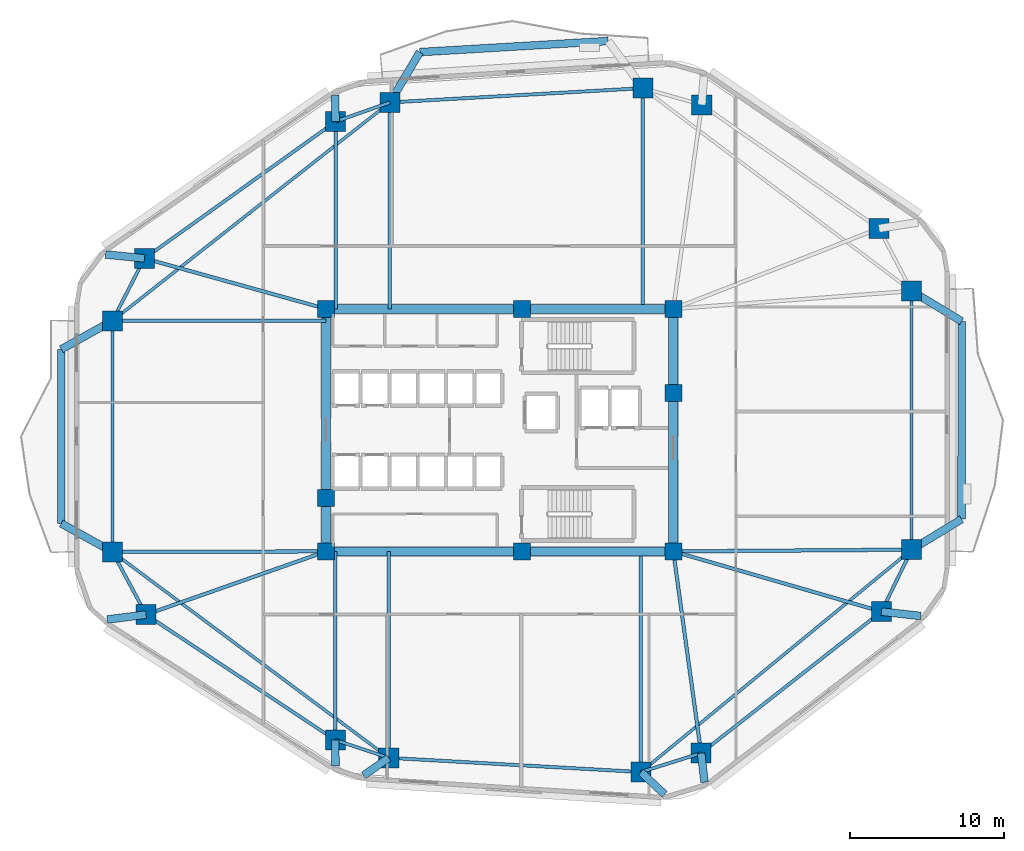
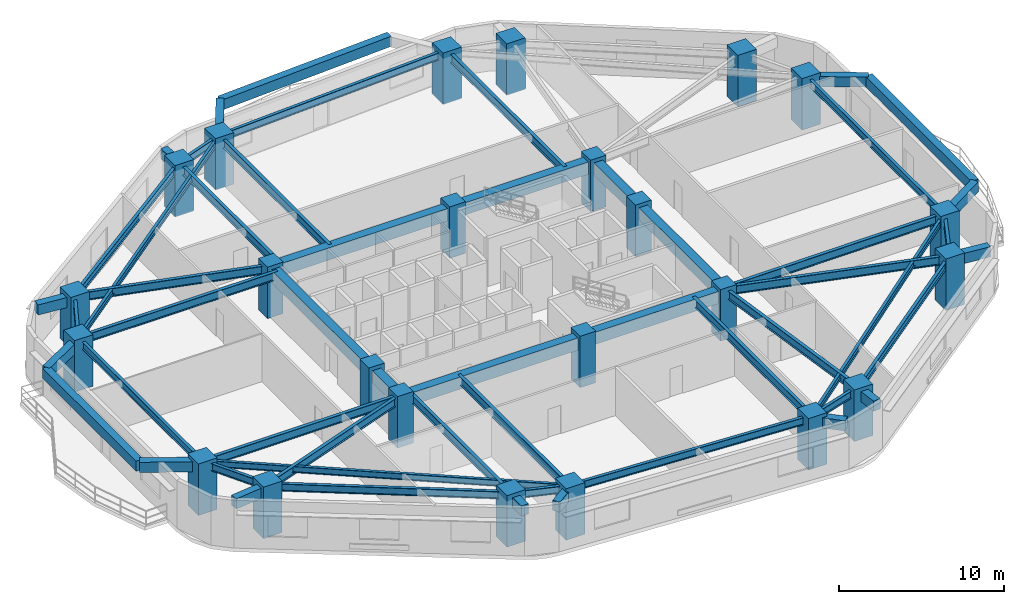
# One storey, part 1 of 9: 53 beams, 24 columns.
"""IFC4 building model written with IfcOpenShell, lengths in metres."""

from ifc_helpers import new_model, si_unit, direction, frame, origin, origin_2d, place, context, subcontext, project, spatial, rectangle, i_section, extrude, material, material_profile, profile_set, type_object, element, save


model = new_model("IFC4")

# Units and contexts
model_context = context("Model", 3, precision=1e-05, world=origin(), true_north=direction((0.0, 1.0)))
body_context = subcontext(model_context, "Body", "Model", "MODEL_VIEW")
ifc_project = project(units=[si_unit("LENGTHUNIT", "METRE"), si_unit("AREAUNIT", "SQUARE_METRE"), si_unit("VOLUMEUNIT", "CUBIC_METRE"), si_unit("PLANEANGLEUNIT", "RADIAN"), si_unit("MASSUNIT", "GRAM", prefix="KILO")], contexts=[model_context])

# Site, building, storey
site_placement = place(None, origin())
site = spatial("IfcSite", under=ifc_project, at=site_placement, CompositionType="ELEMENT")
building_placement = place(site_placement, origin())
building = spatial("IfcBuilding", under=site, at=building_placement, Name="Zulverin Broadcast Headquarters", CompositionType="ELEMENT")
storey_placement = place(building_placement, frame((0.0, 0.0, 59.199951171875)))
storey = spatial("IfcBuildingStorey", under=building, at=storey_placement, Name="L14", CompositionType="ELEMENT", Elevation=59.199951171875)

# Columns
ifc_material_1 = material(Name="Concrete C60/75", Category="concrete")
ifc_material_profile_1 = material_profile(ifc_material_1, rectangle(XDim=1.300048828125, YDim=1.300048828125, at=origin_2d()), Name="Concrete C60/75", Category="concrete")
ifc_profile_set_1 = profile_set([ifc_material_profile_1], Name="Concrete C60/75")
column_type_1 = type_object("IfcColumnType", Name="COL-RC-1300", PredefinedType="COLUMN", material=ifc_profile_set_1)
for number, where, z_axis, x_axis, name in (
    (1, (29.79638671875, 3.922119140625, 0.0), (0.0, 0.0, 1.0), (1.0, 0.0, 0.0), "L14 Perimeter Column T01"),
    (2, (46.175048828125, 2.997802734375, 0.0), (0.0, 0.0, 1.0), (1.0, 0.0, 0.0), "L14 Perimeter Column T02"),
    (3, (50.08056640625, 4.22509765625, 0.0), (0.0, 0.0, 1.0), (1.0, 0.0, 0.0), "L14 Perimeter Column T03"),
    (4, (61.79296875, 13.416259765625, 0.0), (0.0, 0.0, 1.0), (1.0, 0.0, 0.0), "L14 Perimeter Column T04"),
    (5, (63.75, 17.439697265625, 0.0), (0.0, 0.0, 1.0), (1.0, 0.0, 0.0), "L14 Perimeter Column T05"),
    (6, (63.75, 34.235107421875, 0.0), (0.0, 0.0, 1.0), (1.0, 0.0, 0.0), "L14 Perimeter Column T06"),
    (7, (61.630126953125, 38.298583984375, 0.0), (0.0, 0.0, 1.0), (1.0, 0.0, 0.0), "L14 Perimeter Column T07"),
    (8, (50.121826171875, 46.325927734375, 0.0), (0.0, 0.0, 1.0), (1.0, 0.0, 0.0), "L14 Perimeter Column T08"),
    (9, (46.30224609375, 47.4091796875, 0.0), (0.0, 0.0, 1.0), (1.0, 0.0, 0.0), "L14 Perimeter Column T09"),
    (10, (29.873779296875, 46.482177734375, 0.0), (0.0, 0.0, 1.0), (1.0, 0.0, 0.0), "L14 Perimeter Column T10"),
    (11, (26.344482421875, 45.23828125, 0.0), (0.0, 0.0, 1.0), (1.0, 0.0, 0.0), "L14 Perimeter Column T11"),
    (12, (13.934326171875, 36.353759765625, 0.0), (0.0, 0.0, 1.0), (1.0, 0.0, 0.0), "L14 Perimeter Column T12"),
    (13, (11.85009765625, 32.298095703125, 0.0), (0.0, 0.0, 1.0), (1.0, 0.0, 0.0), "L14 Perimeter Column T13"),
    (14, (11.85009765625, 17.297607421875, 0.0), (0.0, 0.0, 1.0), (1.0, 0.0, 0.0), "L14 Perimeter Column T14"),
    (15, (14.0390625, 13.219970703125, 0.0), (0.0, 0.0, 1.0), (1.0, 0.0, 0.0), "L14 Perimeter Column T15"),
    (16, (26.3251953125, 5.075927734375, 0.0), (0.0, 0.0, 1.0), (1.0, 0.0, 0.0), "L14 Perimeter Column T16"),
):
    element("IfcColumn", number, at=place(storey_placement, frame(where, z_axis=z_axis, x_axis=x_axis)), inside=storey, type_object=column_type_1, Name=name, PredefinedType="COLUMN", context=body_context, shape_type="SweptSolid", body=[
        extrude(rectangle(XDim=1.300048828125, YDim=1.300048828125, at=origin_2d()), origin(), (0.0, 0.0, 1.0), 3.800048828125),
    ])
ifc_material_profile_2 = material_profile(ifc_material_1, rectangle(XDim=1.10009765625, YDim=1.10009765625, at=origin_2d()), Name="Concrete C60/75", Category="concrete")
ifc_profile_set_2 = profile_set([ifc_material_profile_2], Name="Concrete C60/75")
column_type_2 = type_object("IfcColumnType", Name="PIL-RC-1100", PredefinedType="PILASTER", material=ifc_profile_set_2)
for number, where, z_axis, x_axis, name in (
    (17, (25.72509765625, 17.324951171875, 0.0), (0.0, 0.0, 1.0), (1.0, 0.0, 0.0), "L14 Core Pilaster K01"),
    (18, (38.449951171875, 17.324951171875, 0.0), (0.0, 0.0, 1.0), (1.0, 0.0, 0.0), "L14 Core Pilaster K02"),
    (19, (48.27490234375, 17.324951171875, 0.0), (0.0, 0.0, 1.0), (1.0, 0.0, 0.0), "L14 Core Pilaster K03"),
    (20, (48.27490234375, 27.6201171875, 0.0), (0.0, 0.0, 1.0), (1.0, 0.0, 0.0), "L14 Core Pilaster K04"),
    (21, (48.27490234375, 33.074951171875, 0.0), (0.0, 0.0, 1.0), (1.0, 0.0, 0.0), "L14 Core Pilaster K05"),
    (22, (38.449951171875, 33.074951171875, 0.0), (0.0, 0.0, 1.0), (1.0, 0.0, 0.0), "L14 Core Pilaster K06"),
    (23, (25.72509765625, 33.074951171875, 0.0), (0.0, 0.0, 1.0), (1.0, 0.0, 0.0), "L14 Core Pilaster K07"),
    (24, (25.72509765625, 20.800048828125, 0.0), (0.0, 0.0, 1.0), (1.0, 0.0, 0.0), "L14 Core Pilaster K08"),
):
    element("IfcColumn", number, at=place(storey_placement, frame(where, z_axis=z_axis, x_axis=x_axis)), inside=storey, type_object=column_type_2, Name=name, PredefinedType="PILASTER", context=body_context, shape_type="SweptSolid", body=[
        extrude(rectangle(XDim=1.10009765625, YDim=1.10009765625, at=origin_2d()), origin(), (0.0, 0.0, 1.0), 3.800048828125),
    ])

# Beams
ifc_material_profile_3 = material_profile(ifc_material_1, rectangle(XDim=0.60009765625, YDim=0.89990234375, at=origin_2d()), Name="Concrete C60/75", Category="concrete")
ifc_profile_set_3 = profile_set([ifc_material_profile_3], Name="Concrete C60/75")
beam_type_1 = type_object("IfcBeamType", Name="BM-CB-600x900", PredefinedType="LINTEL", material=ifc_profile_set_3)
beam_1_placement = place(storey_placement, frame((25.72509765625, 17.324951171875, 3.074951171875), z_axis=(1.0, 0.0, 0.0), x_axis=(0.0, 1.0, 0.0)))
element("IfcBeam", 25, at=beam_1_placement, inside=storey, type_object=beam_type_1, Name="L14 Core Coupling Girder K01-K02", PredefinedType="LINTEL", context=body_context, shape_type="SweptSolid", body=[
    extrude(rectangle(XDim=0.60009765625, YDim=0.89990234375, at=origin_2d()), origin(), (0.0, 0.0, 1.0), 12.724853515625),
])
beam_2_placement = place(storey_placement, frame((38.449951171875, 17.324951171875, 3.074951171875), z_axis=(1.0, 0.0, 0.0), x_axis=(0.0, 1.0, 0.0)))
element("IfcBeam", 26, at=beam_2_placement, inside=storey, type_object=beam_type_1, Name="L14 Core Coupling Girder K02-K03", PredefinedType="LINTEL", context=body_context, shape_type="SweptSolid", body=[
    extrude(rectangle(XDim=0.60009765625, YDim=0.89990234375, at=origin_2d()), origin(), (0.0, 0.0, 1.0), 9.824951171875),
])
beam_3_placement = place(storey_placement, frame((48.27490234375, 17.324951171875, 3.074951171875), z_axis=(0.0, 1.0, 0.0), x_axis=(-1.0, 0.0, 0.0)))
element("IfcBeam", 27, at=beam_3_placement, inside=storey, type_object=beam_type_1, Name="L14 Core Coupling Girder K03-K04", PredefinedType="LINTEL", context=body_context, shape_type="SweptSolid", body=[
    extrude(rectangle(XDim=0.60009765625, YDim=0.89990234375, at=origin_2d()), origin(), (0.0, 0.0, 1.0), 10.295166015625),
])
beam_4_placement = place(storey_placement, frame((48.27490234375, 27.6201171875, 3.074951171875), z_axis=(0.0, 1.0, 0.0), x_axis=(-1.0, 0.0, 0.0)))
element("IfcBeam", 28, at=beam_4_placement, inside=storey, type_object=beam_type_1, Name="L14 Core Coupling Girder K04-K05", PredefinedType="LINTEL", context=body_context, shape_type="SweptSolid", body=[
    extrude(rectangle(XDim=0.60009765625, YDim=0.89990234375, at=origin_2d()), origin(), (0.0, 0.0, 1.0), 5.454833984375),
])
beam_5_placement = place(storey_placement, frame((48.27490234375, 33.074951171875, 3.074951171875), z_axis=(-1.0, 0.0, 0.0), x_axis=(0.0, -1.0, 0.0)))
element("IfcBeam", 29, at=beam_5_placement, inside=storey, type_object=beam_type_1, Name="L14 Core Coupling Girder K05-K06", PredefinedType="LINTEL", context=body_context, shape_type="SweptSolid", body=[
    extrude(rectangle(XDim=0.60009765625, YDim=0.89990234375, at=origin_2d()), origin(), (0.0, 0.0, 1.0), 9.824951171875),
])
beam_6_placement = place(storey_placement, frame((38.449951171875, 33.074951171875, 3.074951171875), z_axis=(-1.0, 0.0, 0.0), x_axis=(0.0, -1.0, 0.0)))
element("IfcBeam", 30, at=beam_6_placement, inside=storey, type_object=beam_type_1, Name="L14 Core Coupling Girder K06-K07", PredefinedType="LINTEL", context=body_context, shape_type="SweptSolid", body=[
    extrude(rectangle(XDim=0.60009765625, YDim=0.89990234375, at=origin_2d()), origin(), (0.0, 0.0, 1.0), 12.724853515625),
])
beam_7_placement = place(storey_placement, frame((25.72509765625, 33.074951171875, 3.074951171875), z_axis=(0.0, -1.0, 0.0), x_axis=(1.0, 0.0, 0.0)))
element("IfcBeam", 31, at=beam_7_placement, inside=storey, type_object=beam_type_1, Name="L14 Core Coupling Girder K07-K08", PredefinedType="LINTEL", context=body_context, shape_type="SweptSolid", body=[
    extrude(rectangle(XDim=0.60009765625, YDim=0.89990234375, at=origin_2d()), origin(), (0.0, 0.0, 1.0), 12.27490234375),
])
beam_8_placement = place(storey_placement, frame((25.72509765625, 20.800048828125, 3.074951171875), z_axis=(0.0, -1.0, 0.0), x_axis=(1.0, 0.0, 0.0)))
element("IfcBeam", 32, at=beam_8_placement, inside=storey, type_object=beam_type_1, Name="L14 Core Coupling Girder K08-K01", PredefinedType="LINTEL", context=body_context, shape_type="SweptSolid", body=[
    extrude(rectangle(XDim=0.60009765625, YDim=0.89990234375, at=origin_2d()), origin(), (0.0, 0.0, 1.0), 3.47509765625),
])
ifc_material_2 = material(Name="Concrete C40/50", Category="concrete")
ifc_material_profile_4 = material_profile(ifc_material_2, rectangle(XDim=0.5, YDim=0.75, at=origin_2d()), Name="Concrete C40/50", Category="concrete")
ifc_profile_set_4 = profile_set([ifc_material_profile_4], Name="Concrete C40/50")
beam_type_2 = type_object("IfcBeamType", Name="BM-RC-500x750", PredefinedType="BEAM", material=ifc_profile_set_4)
beam_9_placement = place(storey_placement, frame((29.79638671875, 3.922119140625, 3.150146484375), z_axis=(-0.817789251944, -0.575517801119, 0.0), x_axis=(0.575517801119, -0.817789251944, 0.0)))
element("IfcBeam", 33, at=beam_9_placement, inside=storey, type_object=beam_type_2, Name="L15 Plate Overhang Back-Spanned Beam OVR-01", PredefinedType="BEAM", context=body_context, shape_type="SweptSolid", body=[
    extrude(rectangle(XDim=0.5, YDim=0.75, at=origin_2d()), origin(), (0.0, 0.0, 1.0), 1.983154296875),
])
beam_10_placement = place(storey_placement, frame((46.175048828125, 2.997802734375, 3.150146484375), z_axis=(0.727711332613, -0.685883529754, 0.0), x_axis=(0.685883529754, 0.727711332613, 0.0)))
element("IfcBeam", 34, at=beam_10_placement, inside=storey, type_object=beam_type_2, Name="L15 Plate Overhang Back-Spanned Beam OVR-02", PredefinedType="BEAM", context=body_context, shape_type="SweptSolid", body=[
    extrude(rectangle(XDim=0.5, YDim=0.75, at=origin_2d()), origin(), (0.0, 0.0, 1.0), 2.113037109375),
])
beam_11_placement = place(storey_placement, frame((50.08056640625, 4.22509765625, 3.150146484375), z_axis=(0.115916621896, -0.99325894749, 0.0), x_axis=(0.99325894749, 0.115916621896, 0.0)))
element("IfcBeam", 35, at=beam_11_placement, inside=storey, type_object=beam_type_2, Name="L15 Plate Overhang Back-Spanned Beam OVR-03", PredefinedType="BEAM", context=body_context, shape_type="SweptSolid", body=[
    extrude(rectangle(XDim=0.5, YDim=0.75, at=origin_2d()), origin(), (0.0, 0.0, 1.0), 1.899658203125),
])
beam_12_placement = place(storey_placement, frame((61.79296875, 13.416259765625, 3.150146484375), z_axis=(0.993797661948, -0.111203449166, 0.0), x_axis=(0.111203449166, 0.993797661948, 0.0)))
element("IfcBeam", 36, at=beam_12_placement, inside=storey, type_object=beam_type_2, Name="L15 Plate Overhang Back-Spanned Beam OVR-04", PredefinedType="BEAM", context=body_context, shape_type="SweptSolid", body=[
    extrude(rectangle(XDim=0.5, YDim=0.75, at=origin_2d()), origin(), (0.0, 0.0, 1.0), 2.568603515625),
])
beam_13_placement = place(storey_placement, frame((26.344482421875, 45.23828125, 3.150146484375), z_axis=(-0.025024345209, 0.999686842039, 0.0), x_axis=(-0.999686842039, -0.025024345209, 0.0)))
element("IfcBeam", 37, at=beam_13_placement, inside=storey, type_object=beam_type_2, Name="L15 Plate Overhang Back-Spanned Beam OVR-11", PredefinedType="BEAM", context=body_context, shape_type="SweptSolid", body=[
    extrude(rectangle(XDim=0.5, YDim=0.75, at=origin_2d()), origin(), (0.0, 0.0, 1.0), 1.707275390625),
])
beam_14_placement = place(storey_placement, frame((13.934326171875, 36.353759765625, 3.150146484375), z_axis=(-0.995008621602, 0.09978899207, 0.0), x_axis=(-0.09978899207, -0.995008621602, 0.0)))
element("IfcBeam", 38, at=beam_14_placement, inside=storey, type_object=beam_type_2, Name="L15 Plate Overhang Back-Spanned Beam OVR-12", PredefinedType="BEAM", context=body_context, shape_type="SweptSolid", body=[
    extrude(rectangle(XDim=0.5, YDim=0.75, at=origin_2d()), origin(), (0.0, 0.0, 1.0), 2.5419921875),
])
beam_15_placement = place(storey_placement, frame((14.0390625, 13.219970703125, 3.150146484375), z_axis=(-0.992258640565, -0.124188526941, 0.0), x_axis=(0.124188526941, -0.992258640565, 0.0)))
element("IfcBeam", 39, at=beam_15_placement, inside=storey, type_object=beam_type_2, Name="L15 Plate Overhang Back-Spanned Beam OVR-15", PredefinedType="BEAM", context=body_context, shape_type="SweptSolid", body=[
    extrude(rectangle(XDim=0.5, YDim=0.75, at=origin_2d()), origin(), (0.0, 0.0, 1.0), 2.5400390625),
])
beam_16_placement = place(storey_placement, frame((26.3251953125, 5.075927734375, 3.150146484375), z_axis=(0.006204786761, -0.999980750125, 0.0), x_axis=(0.999980750125, 0.006204786761, 0.0)))
element("IfcBeam", 40, at=beam_16_placement, inside=storey, type_object=beam_type_2, Name="L15 Plate Overhang Back-Spanned Beam OVR-16", PredefinedType="BEAM", context=body_context, shape_type="SweptSolid", body=[
    extrude(rectangle(XDim=0.5, YDim=0.75, at=origin_2d()), origin(), (0.0, 0.0, 1.0), 1.69189453125),
])
for number, where, z_axis, x_axis, name in (
    (41, (63.75, 17.439697265625, 3.150146484375), (0.853769010652, 0.520651972483, 0.0), (-0.520651972483, 0.853769010652, 0.0), "L15 Balcony Column-Framed Cantilever BAL_E-1"),
    (42, (63.75, 34.235107421875, 3.150146484375), (0.855593685746, -0.517647993246, 0.0), (0.517647993246, 0.855593685746, 0.0), "L15 Balcony Column-Framed Cantilever BAL_E-2"),
):
    element("IfcBeam", number, at=place(storey_placement, frame(where, z_axis=z_axis, x_axis=x_axis)), inside=storey, type_object=beam_type_2, Name=name, PredefinedType="BEAM", context=body_context, shape_type="SweptSolid", body=[
        extrude(rectangle(XDim=0.5, YDim=0.75, at=origin_2d()), origin(), (0.0, 0.0, 1.0), 3.800048828125),
    ])
beam_17_placement = place(storey_placement, frame((66.994384765625, 19.418212890625, 3.150146484375), z_axis=(0.000531985561, 0.999999858496, 0.0), x_axis=(-0.999999858496, 0.000531985561, 0.0)))
element("IfcBeam", 43, at=beam_17_placement, inside=storey, type_object=beam_type_2, Name="L15 Balcony Outer Edge Trimmer Beam BAL_E", PredefinedType="BEAM", context=body_context, shape_type="SweptSolid", body=[
    extrude(rectangle(XDim=0.5, YDim=0.75, at=origin_2d()), origin(), (0.0, 0.0, 1.0), 12.849853515625),
])
beam_18_placement = place(storey_placement, frame((29.873779296875, 46.482177734375, 3.150146484375), z_axis=(0.511024077234, 0.859566397952, 0.0), x_axis=(-0.859566397952, 0.511024077234, 0.0)))
element("IfcBeam", 44, at=beam_18_placement, inside=storey, type_object=beam_type_2, Name="L15 Balcony Column-Framed Cantilever BAL_N-2", PredefinedType="BEAM", context=body_context, shape_type="SweptSolid", body=[
    extrude(rectangle(XDim=0.5, YDim=0.75, at=origin_2d()), origin(), (0.0, 0.0, 1.0), 3.800048828125),
])
beam_19_placement = place(storey_placement, frame((44.049072265625, 50.46923828125, 3.150146484375), z_axis=(-0.998269148199, -0.058810779227, 0.0), x_axis=(0.058810779227, -0.998269148199, 0.0)))
element("IfcBeam", 45, at=beam_19_placement, inside=storey, type_object=beam_type_2, Name="L15 Balcony Outer Edge Trimmer Beam BAL_N", PredefinedType="BEAM", context=body_context, shape_type="SweptSolid", body=[
    extrude(rectangle(XDim=0.5, YDim=0.75, at=origin_2d()), origin(), (0.0, 0.0, 1.0), 12.254638671875),
])
beam_20_placement = place(storey_placement, frame((11.85009765625, 32.298095703125, 3.150146484375), z_axis=(-0.873763019306, -0.486351915893, 0.0), x_axis=(0.486351915893, -0.873763019306, 0.0)))
element("IfcBeam", 46, at=beam_20_placement, inside=storey, type_object=beam_type_2, Name="L15 Balcony Column-Framed Cantilever BAL_W-1", PredefinedType="BEAM", context=body_context, shape_type="SweptSolid", body=[
    extrude(rectangle(XDim=0.5, YDim=0.75, at=origin_2d()), origin(), (0.0, 0.0, 1.0), 3.800048828125),
])
beam_21_placement = place(storey_placement, frame((11.85009765625, 17.297607421875, 3.150146484375), z_axis=(-0.874363278793, 0.485271940975, 0.0), x_axis=(-0.485271940975, -0.874363278793, 0.0)))
element("IfcBeam", 47, at=beam_21_placement, inside=storey, type_object=beam_type_2, Name="L15 Balcony Column-Framed Cantilever BAL_W-2", PredefinedType="BEAM", context=body_context, shape_type="SweptSolid", body=[
    extrude(rectangle(XDim=0.5, YDim=0.75, at=origin_2d()), origin(), (0.0, 0.0, 1.0), 3.7998046875),
])
beam_22_placement = place(storey_placement, frame((8.52978515625, 30.449951171875, 3.150146484375), z_axis=(-0.000194304709, -0.999999981123, 0.0), x_axis=(0.999999981123, -0.000194304709, 0.0)))
element("IfcBeam", 48, at=beam_22_placement, inside=storey, type_object=beam_type_2, Name="L15 Balcony Outer Edge Trimmer Beam BAL_W", PredefinedType="BEAM", context=body_context, shape_type="SweptSolid", body=[
    extrude(rectangle(XDim=0.5, YDim=0.75, at=origin_2d()), origin(), (0.0, 0.0, 1.0), 11.308349609375),
])
ifc_material_3 = material(Name="Structural steel S355JR", Category="steel")
ifc_material_profile_5 = material_profile(ifc_material_3, i_section(OverallWidth=0.19287109375, OverallDepth=0.46728515625, WebThickness=0.011474609375, FlangeThickness=0.01953125, at=origin_2d()), Name="Structural steel S355JR", Category="steel")
ifc_profile_set_5 = profile_set([ifc_material_profile_5], Name="Structural steel S355JR")
beam_type_3 = type_object("IfcBeamType", Name="BM-UB-457", PredefinedType="JOIST", material=ifc_profile_set_5)
beam_23_placement = place(storey_placement, frame((46.175048828125, 2.997802734375, 3.29150390625), z_axis=(0.772611370623, 0.634879256224, 0.0), x_axis=(-0.634879256224, 0.772611370623, 0.0)))
element("IfcBeam", 49, at=beam_23_placement, inside=storey, type_object=beam_type_3, Name="L14 Chordal Floor Joist J-01", PredefinedType="JOIST", context=body_context, shape_type="SweptSolid", body=[
    extrude(i_section(OverallWidth=0.19287109375, OverallDepth=0.46728515625, WebThickness=0.011474609375, FlangeThickness=0.01953125, at=origin_2d()), origin(), (0.0, 0.0, 1.0), 22.74755859375),
])
beam_24_placement = place(storey_placement, frame((29.873779296875, 46.482177734375, 3.29150390625), z_axis=(-0.78583902739, -0.618431098047, 0.0), x_axis=(0.618431098047, -0.78583902739, 0.0)))
element("IfcBeam", 50, at=beam_24_placement, inside=storey, type_object=beam_type_3, Name="L14 Chordal Floor Joist J-03", PredefinedType="JOIST", context=body_context, shape_type="SweptSolid", body=[
    extrude(i_section(OverallWidth=0.19287109375, OverallDepth=0.46728515625, WebThickness=0.011474609375, FlangeThickness=0.01953125, at=origin_2d()), origin(), (0.0, 0.0, 1.0), 22.935546875),
])
beam_25_placement = place(storey_placement, frame((11.85009765625, 17.297607421875, 3.29150390625), z_axis=(0.801802688634, -0.59758886243, 0.0), x_axis=(0.59758886243, 0.801802688634, 0.0)))
element("IfcBeam", 51, at=beam_25_placement, inside=storey, type_object=beam_type_3, Name="L14 Chordal Floor Joist J-04", PredefinedType="JOIST", context=body_context, shape_type="SweptSolid", body=[
    extrude(i_section(OverallWidth=0.19287109375, OverallDepth=0.46728515625, WebThickness=0.011474609375, FlangeThickness=0.01953125, at=origin_2d()), origin(), (0.0, 0.0, 1.0), 22.38232421875),
])
ifc_material_profile_6 = material_profile(ifc_material_3, i_section(OverallWidth=0.2119140625, OverallDepth=0.54443359375, WebThickness=0.0126953125, FlangeThickness=0.021240234375, at=origin_2d()), Name="Structural steel S355JR", Category="steel")
ifc_profile_set_6 = profile_set([ifc_material_profile_6], Name="Structural steel S355JR")
beam_type_4 = type_object("IfcBeamType", Name="BM-UB-533", PredefinedType="SPANDREL", material=ifc_profile_set_6)
beam_26_placement = place(storey_placement, frame((29.79638671875, 3.922119140625, 3.2529296875), z_axis=(0.998411385104, -0.056344530297, 0.0), x_axis=(0.056344530297, 0.998411385104, 0.0)))
element("IfcBeam", 52, at=beam_26_placement, inside=storey, type_object=beam_type_4, Name="L14 Perimeter Spandrel Beam SP-01", PredefinedType="SPANDREL", context=body_context, shape_type="SweptSolid", body=[
    extrude(i_section(OverallWidth=0.2119140625, OverallDepth=0.54443359375, WebThickness=0.0126953125, FlangeThickness=0.021240234375, at=origin_2d()), origin(), (0.0, 0.0, 1.0), 16.40478515625),
])
beam_27_placement = place(storey_placement, frame((46.175048828125, 2.997802734375, 3.2529296875), z_axis=(0.954004438448, 0.299792480595, 0.0), x_axis=(-0.299792480595, 0.954004438448, 0.0)))
element("IfcBeam", 53, at=beam_27_placement, inside=storey, type_object=beam_type_4, Name="L14 Perimeter Spandrel Beam SP-02", PredefinedType="SPANDREL", context=body_context, shape_type="SweptSolid", body=[
    extrude(i_section(OverallWidth=0.2119140625, OverallDepth=0.54443359375, WebThickness=0.0126953125, FlangeThickness=0.021240234375, at=origin_2d()), origin(), (0.0, 0.0, 1.0), 4.09375),
])
beam_28_placement = place(storey_placement, frame((50.08056640625, 4.22509765625, 3.2529296875), z_axis=(0.786691476208, 0.617346354376, 0.0), x_axis=(-0.617346354376, 0.786691476208, 0.0)))
element("IfcBeam", 54, at=beam_28_placement, inside=storey, type_object=beam_type_4, Name="L14 Perimeter Spandrel Beam SP-03", PredefinedType="SPANDREL", context=body_context, shape_type="SweptSolid", body=[
    extrude(i_section(OverallWidth=0.2119140625, OverallDepth=0.54443359375, WebThickness=0.0126953125, FlangeThickness=0.021240234375, at=origin_2d()), origin(), (0.0, 0.0, 1.0), 14.88818359375),
])
beam_29_placement = place(storey_placement, frame((61.79296875, 13.416259765625, 3.2529296875), z_axis=(0.437408475872, 0.899262934428, 0.0), x_axis=(-0.899262934428, 0.437408475872, 0.0)))
element("IfcBeam", 55, at=beam_29_placement, inside=storey, type_object=beam_type_4, Name="L14 Perimeter Spandrel Beam SP-04", PredefinedType="SPANDREL", context=body_context, shape_type="SweptSolid", body=[
    extrude(i_section(OverallWidth=0.2119140625, OverallDepth=0.54443359375, WebThickness=0.0126953125, FlangeThickness=0.021240234375, at=origin_2d()), origin(), (0.0, 0.0, 1.0), 4.47412109375),
])
beam_30_placement = place(storey_placement, frame((63.75, 17.439697265625, 3.2529296875), z_axis=(0.0, 1.0, 0.0), x_axis=(-1.0, 0.0, 0.0)))
element("IfcBeam", 56, at=beam_30_placement, inside=storey, type_object=beam_type_4, Name="L14 Perimeter Spandrel Beam SP-05", PredefinedType="SPANDREL", context=body_context, shape_type="SweptSolid", body=[
    extrude(i_section(OverallWidth=0.2119140625, OverallDepth=0.54443359375, WebThickness=0.0126953125, FlangeThickness=0.021240234375, at=origin_2d()), origin(), (0.0, 0.0, 1.0), 16.79541015625),
])
beam_31_placement = place(storey_placement, frame((46.30224609375, 47.4091796875, 3.2529296875), z_axis=(-0.998411812904, -0.056336949274, 0.0), x_axis=(0.056336949274, -0.998411812904, 0.0)))
element("IfcBeam", 57, at=beam_31_placement, inside=storey, type_object=beam_type_4, Name="L14 Perimeter Spandrel Beam SP-09", PredefinedType="SPANDREL", context=body_context, shape_type="SweptSolid", body=[
    extrude(i_section(OverallWidth=0.2119140625, OverallDepth=0.54443359375, WebThickness=0.0126953125, FlangeThickness=0.021240234375, at=origin_2d()), origin(), (0.0, 0.0, 1.0), 16.45458984375),
])
beam_32_placement = place(storey_placement, frame((29.873779296875, 46.482177734375, 3.2529296875), z_axis=(-0.943135983398, -0.332407155189, 0.0), x_axis=(0.332407155189, -0.943135983398, 0.0)))
element("IfcBeam", 58, at=beam_32_placement, inside=storey, type_object=beam_type_4, Name="L14 Perimeter Spandrel Beam SP-10", PredefinedType="SPANDREL", context=body_context, shape_type="SweptSolid", body=[
    extrude(i_section(OverallWidth=0.2119140625, OverallDepth=0.54443359375, WebThickness=0.0126953125, FlangeThickness=0.021240234375, at=origin_2d()), origin(), (0.0, 0.0, 1.0), 3.7421875),
])
beam_33_placement = place(storey_placement, frame((26.344482421875, 45.23828125, 3.2529296875), z_axis=(-0.813109374453, -0.582110938891, 0.0), x_axis=(0.582110938891, -0.813109374453, 0.0)))
element("IfcBeam", 59, at=beam_33_placement, inside=storey, type_object=beam_type_4, Name="L14 Perimeter Spandrel Beam SP-11", PredefinedType="SPANDREL", context=body_context, shape_type="SweptSolid", body=[
    extrude(i_section(OverallWidth=0.2119140625, OverallDepth=0.54443359375, WebThickness=0.0126953125, FlangeThickness=0.021240234375, at=origin_2d()), origin(), (0.0, 0.0, 1.0), 15.2626953125),
])
beam_34_placement = place(storey_placement, frame((13.934326171875, 36.353759765625, 3.2529296875), z_axis=(-0.457080631948, -0.889425261558, 0.0), x_axis=(0.889425261558, -0.457080631948, 0.0)))
element("IfcBeam", 60, at=beam_34_placement, inside=storey, type_object=beam_type_4, Name="L14 Perimeter Spandrel Beam SP-12", PredefinedType="SPANDREL", context=body_context, shape_type="SweptSolid", body=[
    extrude(i_section(OverallWidth=0.2119140625, OverallDepth=0.54443359375, WebThickness=0.0126953125, FlangeThickness=0.021240234375, at=origin_2d()), origin(), (0.0, 0.0, 1.0), 4.559814453125),
])
beam_35_placement = place(storey_placement, frame((11.85009765625, 32.298095703125, 3.2529296875), z_axis=(0.0, -1.0, 0.0), x_axis=(1.0, 0.0, 0.0)))
element("IfcBeam", 61, at=beam_35_placement, inside=storey, type_object=beam_type_4, Name="L14 Perimeter Spandrel Beam SP-13", PredefinedType="SPANDREL", context=body_context, shape_type="SweptSolid", body=[
    extrude(i_section(OverallWidth=0.2119140625, OverallDepth=0.54443359375, WebThickness=0.0126953125, FlangeThickness=0.021240234375, at=origin_2d()), origin(), (0.0, 0.0, 1.0), 15.00048828125),
])
beam_36_placement = place(storey_placement, frame((11.85009765625, 17.297607421875, 3.2529296875), z_axis=(0.472979536362, -0.881073412482, 0.0), x_axis=(0.881073412482, 0.472979536362, 0.0)))
element("IfcBeam", 62, at=beam_36_placement, inside=storey, type_object=beam_type_4, Name="L14 Perimeter Spandrel Beam SP-14", PredefinedType="SPANDREL", context=body_context, shape_type="SweptSolid", body=[
    extrude(i_section(OverallWidth=0.2119140625, OverallDepth=0.54443359375, WebThickness=0.0126953125, FlangeThickness=0.021240234375, at=origin_2d()), origin(), (0.0, 0.0, 1.0), 4.6279296875),
])
beam_37_placement = place(storey_placement, frame((14.0390625, 13.219970703125, 3.2529296875), z_axis=(0.833510030956, -0.552504324232, 0.0), x_axis=(0.552504324232, 0.833510030956, 0.0)))
element("IfcBeam", 63, at=beam_37_placement, inside=storey, type_object=beam_type_4, Name="L14 Perimeter Spandrel Beam SP-15", PredefinedType="SPANDREL", context=body_context, shape_type="SweptSolid", body=[
    extrude(i_section(OverallWidth=0.2119140625, OverallDepth=0.54443359375, WebThickness=0.0126953125, FlangeThickness=0.021240234375, at=origin_2d()), origin(), (0.0, 0.0, 1.0), 14.740234375),
])
beam_38_placement = place(storey_placement, frame((26.3251953125, 5.075927734375, 3.2529296875), z_axis=(0.948949931395, -0.315426739047, 0.0), x_axis=(0.315426739047, 0.948949931395, 0.0)))
element("IfcBeam", 64, at=beam_38_placement, inside=storey, type_object=beam_type_4, Name="L14 Perimeter Spandrel Beam SP-16", PredefinedType="SPANDREL", context=body_context, shape_type="SweptSolid", body=[
    extrude(i_section(OverallWidth=0.2119140625, OverallDepth=0.54443359375, WebThickness=0.0126953125, FlangeThickness=0.021240234375, at=origin_2d()), origin(), (0.0, 0.0, 1.0), 3.657958984375),
])
ifc_material_profile_7 = material_profile(ifc_material_3, i_section(OverallWidth=0.230224609375, OverallDepth=0.6171875, WebThickness=0.01318359375, FlangeThickness=0.022216796875, at=origin_2d()), Name="Structural steel S355JR", Category="steel")
ifc_profile_set_7 = profile_set([ifc_material_profile_7], Name="Structural steel S355JR")
beam_type_5 = type_object("IfcBeamType", Name="BM-UB-610", PredefinedType="BEAM", material=ifc_profile_set_7)
beam_39_placement = place(storey_placement, frame((29.79638671875, 17.324951171875, 3.216552734375), z_axis=(0.0, -1.0, 0.0), x_axis=(1.0, 0.0, 0.0)))
element("IfcBeam", 65, at=beam_39_placement, inside=storey, type_object=beam_type_5, Name="L14 Radial Primary Floor Beam RB-01", PredefinedType="BEAM", context=body_context, shape_type="SweptSolid", body=[
    extrude(i_section(OverallWidth=0.230224609375, OverallDepth=0.6171875, WebThickness=0.01318359375, FlangeThickness=0.022216796875, at=origin_2d()), origin(), (0.0, 0.0, 1.0), 13.40283203125),
])
beam_40_placement = place(storey_placement, frame((46.175048828125, 17.324951171875, 3.216552734375), z_axis=(0.0, -1.0, 0.0), x_axis=(1.0, 0.0, 0.0)))
element("IfcBeam", 66, at=beam_40_placement, inside=storey, type_object=beam_type_5, Name="L14 Radial Primary Floor Beam RB-02", PredefinedType="BEAM", context=body_context, shape_type="SweptSolid", body=[
    extrude(i_section(OverallWidth=0.230224609375, OverallDepth=0.6171875, WebThickness=0.01318359375, FlangeThickness=0.022216796875, at=origin_2d()), origin(), (0.0, 0.0, 1.0), 14.3271484375),
])
beam_41_placement = place(storey_placement, frame((48.27490234375, 17.324951171875, 3.216552734375), z_axis=(0.136547433081, -0.990633533916, 0.0), x_axis=(0.990633533916, 0.136547433081, 0.0)))
element("IfcBeam", 67, at=beam_41_placement, inside=storey, type_object=beam_type_5, Name="L14 Radial Primary Floor Beam RB-03", PredefinedType="BEAM", context=body_context, shape_type="SweptSolid", body=[
    extrude(i_section(OverallWidth=0.230224609375, OverallDepth=0.6171875, WebThickness=0.01318359375, FlangeThickness=0.022216796875, at=origin_2d()), origin(), (0.0, 0.0, 1.0), 13.2236328125),
])
beam_42_placement = place(storey_placement, frame((48.27490234375, 17.324951171875, 3.216552734375), z_axis=(0.960648363311, -0.277767388416, 0.0), x_axis=(0.277767388416, 0.960648363311, 0.0)))
element("IfcBeam", 68, at=beam_42_placement, inside=storey, type_object=beam_type_5, Name="L14 Radial Primary Floor Beam RB-04", PredefinedType="BEAM", context=body_context, shape_type="SweptSolid", body=[
    extrude(i_section(OverallWidth=0.230224609375, OverallDepth=0.6171875, WebThickness=0.01318359375, FlangeThickness=0.022216796875, at=origin_2d()), origin(), (0.0, 0.0, 1.0), 14.07177734375),
])
beam_43_placement = place(storey_placement, frame((48.27490234375, 17.324951171875, 3.216552734375), z_axis=(0.999972510862, 0.007414682739, 0.0), x_axis=(-0.007414682739, 0.999972510862, 0.0)))
element("IfcBeam", 69, at=beam_43_placement, inside=storey, type_object=beam_type_5, Name="L14 Radial Primary Floor Beam RB-05", PredefinedType="BEAM", context=body_context, shape_type="SweptSolid", body=[
    extrude(i_section(OverallWidth=0.230224609375, OverallDepth=0.6171875, WebThickness=0.01318359375, FlangeThickness=0.022216796875, at=origin_2d()), origin(), (0.0, 0.0, 1.0), 15.4755859375),
])
beam_44_placement = place(storey_placement, frame((46.30224609375, 33.074951171875, 3.216552734375), z_axis=(0.0, 1.0, 0.0), x_axis=(-1.0, 0.0, 0.0)))
element("IfcBeam", 70, at=beam_44_placement, inside=storey, type_object=beam_type_5, Name="L14 Radial Primary Floor Beam RB-09", PredefinedType="BEAM", context=body_context, shape_type="SweptSolid", body=[
    extrude(i_section(OverallWidth=0.230224609375, OverallDepth=0.6171875, WebThickness=0.01318359375, FlangeThickness=0.022216796875, at=origin_2d()), origin(), (0.0, 0.0, 1.0), 14.334228515625),
])
beam_45_placement = place(storey_placement, frame((29.873779296875, 33.074951171875, 3.216552734375), z_axis=(0.0, 1.0, 0.0), x_axis=(-1.0, 0.0, 0.0)))
element("IfcBeam", 71, at=beam_45_placement, inside=storey, type_object=beam_type_5, Name="L14 Radial Primary Floor Beam RB-10", PredefinedType="BEAM", context=body_context, shape_type="SweptSolid", body=[
    extrude(i_section(OverallWidth=0.230224609375, OverallDepth=0.6171875, WebThickness=0.01318359375, FlangeThickness=0.022216796875, at=origin_2d()), origin(), (0.0, 0.0, 1.0), 13.4072265625),
])
beam_46_placement = place(storey_placement, frame((26.344482421875, 33.074951171875, 3.216552734375), z_axis=(0.0, 1.0, 0.0), x_axis=(-1.0, 0.0, 0.0)))
element("IfcBeam", 72, at=beam_46_placement, inside=storey, type_object=beam_type_5, Name="L14 Radial Primary Floor Beam RB-11", PredefinedType="BEAM", context=body_context, shape_type="SweptSolid", body=[
    extrude(i_section(OverallWidth=0.230224609375, OverallDepth=0.6171875, WebThickness=0.01318359375, FlangeThickness=0.022216796875, at=origin_2d()), origin(), (0.0, 0.0, 1.0), 12.163330078125),
])
beam_47_placement = place(storey_placement, frame((25.72509765625, 33.074951171875, 3.216552734375), z_axis=(-0.963442133037, 0.267916509922, 0.0), x_axis=(-0.267916509922, -0.963442133037, 0.0)))
element("IfcBeam", 73, at=beam_47_placement, inside=storey, type_object=beam_type_5, Name="L14 Radial Primary Floor Beam RB-12", PredefinedType="BEAM", context=body_context, shape_type="SweptSolid", body=[
    extrude(i_section(OverallWidth=0.230224609375, OverallDepth=0.6171875, WebThickness=0.01318359375, FlangeThickness=0.022216796875, at=origin_2d()), origin(), (0.0, 0.0, 1.0), 12.23828125),
])
for number, where, z_axis, x_axis, name in (
    (74, (25.72509765625, 32.298095703125, 3.216552734375), (-1.0, 0.0, 0.0), (0.0, -1.0, 0.0), "L14 Radial Primary Floor Beam RB-13"),
    (75, (25.72509765625, 17.324951171875, 3.216552734375), (-0.999998058136, -0.001970716894, 0.0), (0.001970716894, -0.999998058136, 0.0), "L14 Radial Primary Floor Beam RB-14"),
):
    element("IfcBeam", number, at=place(storey_placement, frame(where, z_axis=z_axis, x_axis=x_axis)), inside=storey, type_object=beam_type_5, Name=name, PredefinedType="BEAM", context=body_context, shape_type="SweptSolid", body=[
        extrude(i_section(OverallWidth=0.230224609375, OverallDepth=0.6171875, WebThickness=0.01318359375, FlangeThickness=0.022216796875, at=origin_2d()), origin(), (0.0, 0.0, 1.0), 13.875),
    ])
beam_48_placement = place(storey_placement, frame((25.72509765625, 17.324951171875, 3.216552734375), z_axis=(-0.943483462345, -0.331419607569, 0.0), x_axis=(0.331419607569, -0.943483462345, 0.0)))
element("IfcBeam", 76, at=beam_48_placement, inside=storey, type_object=beam_type_5, Name="L14 Radial Primary Floor Beam RB-15", PredefinedType="BEAM", context=body_context, shape_type="SweptSolid", body=[
    extrude(i_section(OverallWidth=0.230224609375, OverallDepth=0.6171875, WebThickness=0.01318359375, FlangeThickness=0.022216796875, at=origin_2d()), origin(), (0.0, 0.0, 1.0), 12.385986328125),
])
beam_49_placement = place(storey_placement, frame((26.3251953125, 17.324951171875, 3.216552734375), z_axis=(0.0, -1.0, 0.0), x_axis=(1.0, 0.0, 0.0)))
element("IfcBeam", 77, at=beam_49_placement, inside=storey, type_object=beam_type_5, Name="L14 Radial Primary Floor Beam RB-16", PredefinedType="BEAM", context=body_context, shape_type="SweptSolid", body=[
    extrude(i_section(OverallWidth=0.230224609375, OverallDepth=0.6171875, WebThickness=0.01318359375, FlangeThickness=0.022216796875, at=origin_2d()), origin(), (0.0, 0.0, 1.0), 12.2490234375),
])

save(model, "model.ifc")
